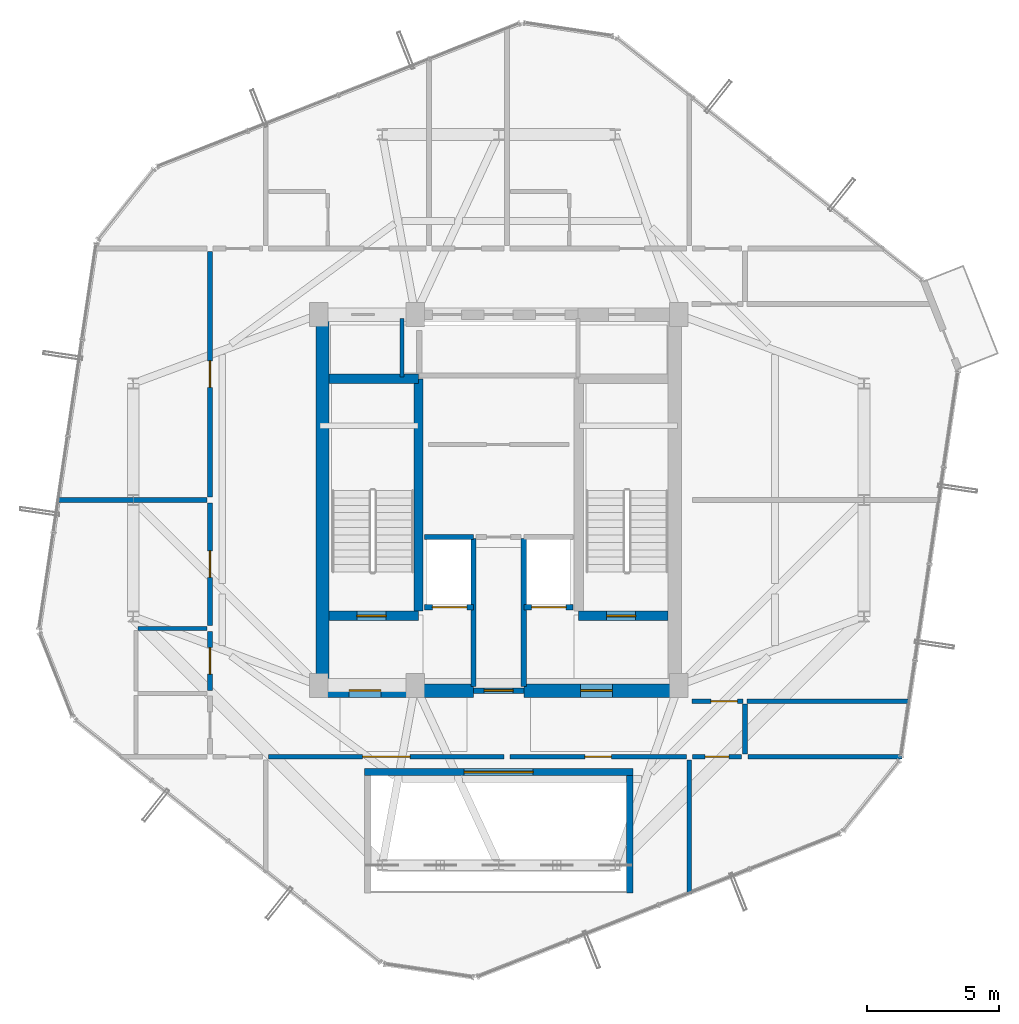
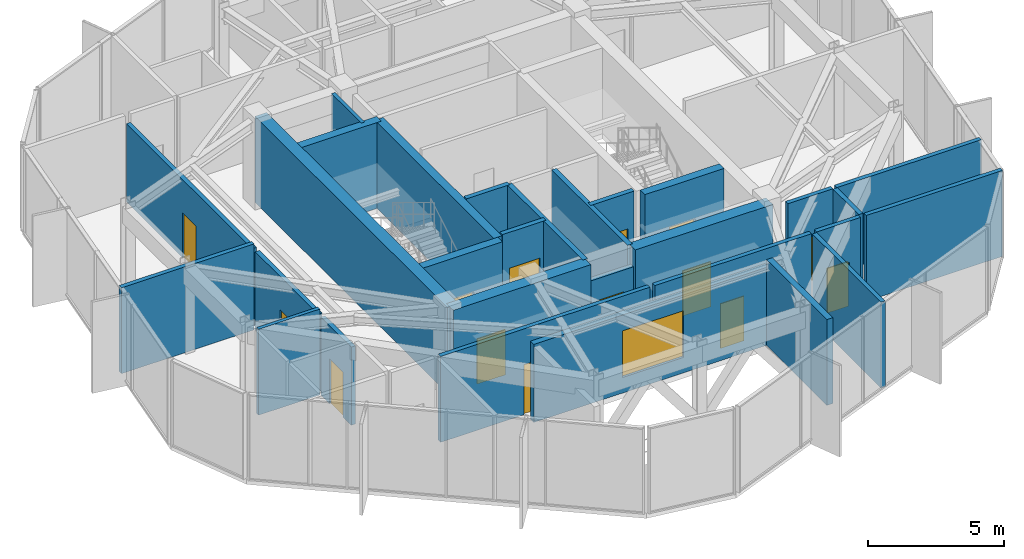
# One storey, part 18 of 22: 29 walls, 14 doors, 1 window, 15 openings.
"""IFC4 building model written with IfcOpenShell, lengths in metres."""

from ifc_helpers import new_model, si_unit, direction, frame, frame_2d, origin, place, context, subcontext, project, spatial, rectangle, extrude, source, transform, mapped, material, layer, layer_set, type_object, element, fill, save


model = new_model("IFC4")

# Units and contexts
model_context = context("Model", 3, precision=1e-05, world=origin(), true_north=direction((0.0, 1.0)))
body_context = subcontext(model_context, "Body", "Model", "MODEL_VIEW")
ifc_project = project(units=[si_unit("LENGTHUNIT", "METRE"), si_unit("AREAUNIT", "SQUARE_METRE"), si_unit("VOLUMEUNIT", "CUBIC_METRE"), si_unit("PLANEANGLEUNIT", "RADIAN"), si_unit("MASSUNIT", "GRAM", prefix="KILO")], contexts=[model_context])

# Site, building, storey
site_placement = place(None, origin())
site = spatial("IfcSite", under=ifc_project, at=site_placement, CompositionType="ELEMENT")
building_placement = place(site_placement, origin())
building = spatial("IfcBuilding", under=site, at=building_placement, Name="Veraguas Prism Commons", CompositionType="ELEMENT")
storey_placement = place(building_placement, frame((0.0, 0.0, 236.550048828125)))
storey = spatial("IfcBuildingStorey", under=building, at=storey_placement, Name="L67", CompositionType="ELEMENT", Elevation=236.550048828125)

# Wall, opening, door
ifc_material_1 = material(Name="Concrete C50/60", Category="concrete")
ifc_layer_1 = layer(ifc_material_1, 0.35009765625, Name="Core Internal Shear Wall Upper RC 350", Category="concrete")
ifc_layer_set_1 = layer_set([ifc_layer_1], Name="Concrete C50/60")
wall_type_1 = type_object("IfcWallType", Name="Core Internal Shear Wall Upper RC 350", PredefinedType="SHEAR", material=ifc_layer_set_1)
wall_1_placement = place(storey_placement, frame((17.60009765625, 19.625, 0.0), z_axis=(0.0, 0.0, 1.0), x_axis=(1.0, 0.0, 0.0)))
wall_1 = element("IfcWall", 1, at=wall_1_placement, inside=storey, type_object=wall_type_1, Name="Stair ST-01 South Shear Wall L67", PredefinedType="SHEAR", context=body_context, shape_type="SweptSolid", body=[
    extrude(rectangle(XDim=3.375, YDim=0.35009765625, at=frame_2d((1.6875, 0.0))), origin(), (0.0, 0.0, 1.0), 3.864990234375),
])
opening_1_placement = place(wall_1_placement, frame((1.050048828125, 0.0, 0.0)))
opening_1 = element("IfcOpeningElement", 2, at=opening_1_placement, cuts=wall_1, Name="Opening DR-05", PredefinedType="OPENING", context=body_context, shape_type="SweptSolid", body=[
    extrude(rectangle(XDim=1.10009765625, YDim=2.030029296875, at=frame_2d((0.550048828125, 1.01513671875))), frame((0.0, 0.18505859375, 0.0), z_axis=(0.0, -1.0, 0.0), x_axis=(1.0, 0.0, 0.0)), (0.0, 0.0, 1.0), 0.3701171875),
])
ifc_material_2 = material(Name="Steel fire-rated door assembly", Category="steel")
door_type_1 = type_object("IfcDoorType", Name="Protected Stair and Refuge Fire Door 1100x2030", OperationType="NOTDEFINED", PredefinedType="DOOR", material=ifc_material_2)
shared_shape_1 = source(origin(), body_context, "Body", "SweptSolid", [
    extrude(rectangle(XDim=1.10009765625, YDim=2.030029296875, at=frame_2d((0.550048828125, 1.01513671875))), frame((0.0, 0.02490234375, 0.0), z_axis=(0.0, -1.0, 0.0), x_axis=(1.0, 0.0, 0.0)), (0.0, 0.0, 1.0), 0.050048828125),
])
door_1_placement = place(opening_1_placement, origin())
door_1 = element("IfcDoor", 3, at=door_1_placement, inside=storey, type_object=door_type_1, Name="Stair ST-01 Enclosure Door L67", OperationType="SINGLE_SWING_LEFT", OverallHeight=2.030029296875, OverallWidth=1.10009765625, PredefinedType="DOOR", context=body_context, shape_type="MappedRepresentation", body=[
    mapped(shared_shape_1, transform((0.0, 0.0, 0.0), scale=1.0)),
])
fill(opening_1, door_1)

wall_2_placement = place(storey_placement, frame((27.02490234375, 19.625, 0.0), z_axis=(0.0, 0.0, 1.0), x_axis=(1.0, 0.0, 0.0)))
wall_2 = element("IfcWall", 4, at=wall_2_placement, inside=storey, type_object=wall_type_1, Name="Stair ST-02 South Shear Wall L67", PredefinedType="SHEAR", context=body_context, shape_type="SweptSolid", body=[
    extrude(rectangle(XDim=3.375, YDim=0.35009765625, at=frame_2d((1.6875, 0.0))), origin(), (0.0, 0.0, 1.0), 3.864990234375),
])
opening_2_placement = place(wall_2_placement, frame((1.050048828125, 0.0, 0.0)))
opening_2 = element("IfcOpeningElement", 5, at=opening_2_placement, cuts=wall_2, Name="Opening DR-05", PredefinedType="OPENING", context=body_context, shape_type="SweptSolid", body=[
    extrude(rectangle(XDim=1.10009765625, YDim=2.030029296875, at=frame_2d((0.550048828125, 1.01513671875))), frame((0.0, 0.18505859375, 0.0), z_axis=(0.0, -1.0, 0.0), x_axis=(1.0, 0.0, 0.0)), (0.0, 0.0, 1.0), 0.3701171875),
])
door_2_placement = place(opening_2_placement, origin())
door_2 = element("IfcDoor", 6, at=door_2_placement, inside=storey, type_object=door_type_1, Name="Stair ST-02 Enclosure Door L67", OperationType="SINGLE_SWING_RIGHT", OverallHeight=2.030029296875, OverallWidth=1.10009765625, PredefinedType="DOOR", context=body_context, shape_type="MappedRepresentation", body=[
    mapped(shared_shape_1, transform((0.0, 0.0, 0.0), scale=1.0)),
])
fill(opening_2, door_2)

# Walls
wall_3_placement = place(storey_placement, frame((20.97509765625, 19.800048828125, 0.0), z_axis=(0.0, 0.0, 1.0), x_axis=(0.0, 1.0, 0.0)))
element("IfcWall", 7, at=wall_3_placement, inside=storey, type_object=wall_type_1, Name="Stair ST-01 Inner Shear Wall L67", PredefinedType="SHEAR", context=body_context, shape_type="SweptSolid", body=[
    extrude(rectangle(XDim=8.77490234375, YDim=0.35009765625, at=frame_2d((4.387451171875, 0.0))), origin(), (0.0, 0.0, 1.0), 3.864990234375),
])
wall_4_placement = place(storey_placement, frame((17.60009765625, 28.574951171875, 0.0), z_axis=(0.0, 0.0, 1.0), x_axis=(1.0, 0.0, 0.0)))
element("IfcWall", 8, at=wall_4_placement, inside=storey, type_object=wall_type_1, Name="Stair ST-01 North Shear Wall L67", PredefinedType="SHEAR", context=body_context, shape_type="SweptSolid", body=[
    extrude(rectangle(XDim=3.375, YDim=0.35009765625, at=frame_2d((1.6875, 0.0))), origin(), (0.0, 0.0, 1.0), 3.864990234375),
])
ifc_layer_2 = layer(ifc_material_1, 0.5, Name="Core Outer Shear Wall Upper RC 500", Category="concrete")
ifc_layer_set_2 = layer_set([ifc_layer_2], Name="Concrete C50/60")
wall_type_2 = type_object("IfcWallType", Name="Core Outer Shear Wall Upper RC 500", PredefinedType="SHEAR", material=ifc_layer_set_2)
wall_5_placement = place(storey_placement, frame((17.35009765625, 16.800048828125, 0.0), z_axis=(0.0, 0.0, 1.0), x_axis=(0.0, 1.0, 0.0)))
element("IfcWall", 9, at=wall_5_placement, inside=storey, type_object=wall_type_2, Name="Central Core West Shear Wall L67", PredefinedType="SHEAR", context=body_context, shape_type="SweptSolid", body=[
    extrude(rectangle(XDim=14.199951171875, YDim=0.5, at=frame_2d((7.10009765625, 0.0))), origin(), (0.0, 0.0, 1.0), 3.864990234375),
])

# Wall, opening, door
wall_6_placement = place(storey_placement, frame((17.199951171875, 16.800048828125, 0.0), z_axis=(0.0, 0.0, 1.0), x_axis=(1.0, 0.0, 0.0)))
wall_6 = element("IfcWall", 10, at=wall_6_placement, inside=storey, type_object=wall_type_2, Name="Central Core South-West Shear Wall L67", PredefinedType="SHEAR", context=body_context, shape_type="SweptSolid", body=[
    extrude(rectangle(XDim=5.85009765625, YDim=0.5, at=frame_2d((2.925048828125, 0.0))), origin(), (0.0, 0.0, 1.0), 3.864990234375),
])
opening_3_placement = place(wall_6_placement, frame((1.14990234375, 0.0, 0.0)))
opening_3 = element("IfcOpeningElement", 11, at=opening_3_placement, cuts=wall_6, Name="Opening DR-06", PredefinedType="OPENING", context=body_context, shape_type="SweptSolid", body=[
    extrude(rectangle(XDim=1.199951171875, YDim=2.030029296875, at=frame_2d((0.60009765625, 1.01513671875))), frame((0.0, 0.260009765625, 0.0), z_axis=(0.0, -1.0, 0.0), x_axis=(1.0, 0.0, 0.0)), (0.0, 0.0, 1.0), 0.52001953125),
])
door_type_2 = type_object("IfcDoorType", Name="Firefighting Lobby Smoke Door 1200x2030", OperationType="NOTDEFINED", PredefinedType="DOOR", material=ifc_material_2)
shared_shape_2 = source(origin(), body_context, "Body", "SweptSolid", [
    extrude(rectangle(XDim=1.199951171875, YDim=2.030029296875, at=frame_2d((0.60009765625, 1.01513671875))), frame((0.0, 0.02490234375, 0.0), z_axis=(0.0, -1.0, 0.0), x_axis=(1.0, 0.0, 0.0)), (0.0, 0.0, 1.0), 0.050048828125),
])
door_3_placement = place(opening_3_placement, origin())
door_3 = element("IfcDoor", 12, at=door_3_placement, inside=storey, type_object=door_type_2, Name="West FF Lobby Door L67", OperationType="SINGLE_SWING_RIGHT", OverallHeight=2.030029296875, OverallWidth=1.199951171875, PredefinedType="DOOR", context=body_context, shape_type="MappedRepresentation", body=[
    mapped(shared_shape_2, transform((0.0, 0.0, 0.0), scale=1.0)),
])
fill(opening_3, door_3)

wall_7_placement = place(storey_placement, frame((24.949951171875, 16.800048828125, 0.0), z_axis=(0.0, 0.0, 1.0), x_axis=(1.0, 0.0, 0.0)))
wall_7 = element("IfcWall", 13, at=wall_7_placement, inside=storey, type_object=wall_type_2, Name="Central Core South-East Shear Wall L67", PredefinedType="SHEAR", context=body_context, shape_type="SweptSolid", body=[
    extrude(rectangle(XDim=5.85009765625, YDim=0.5, at=frame_2d((2.925048828125, 0.0))), origin(), (0.0, 0.0, 1.0), 3.864990234375),
])
opening_4_placement = place(wall_7_placement, frame((2.14990234375, 0.0, 0.0)))
opening_4 = element("IfcOpeningElement", 14, at=opening_4_placement, cuts=wall_7, Name="Opening DR-06", PredefinedType="OPENING", context=body_context, shape_type="SweptSolid", body=[
    extrude(rectangle(XDim=1.199951171875, YDim=2.030029296875, at=frame_2d((0.60009765625, 1.01513671875))), frame((0.0, 0.260009765625, 0.0), z_axis=(0.0, -1.0, 0.0), x_axis=(1.0, 0.0, 0.0)), (0.0, 0.0, 1.0), 0.52001953125),
])
door_4_placement = place(opening_4_placement, origin())
door_4 = element("IfcDoor", 15, at=door_4_placement, inside=storey, type_object=door_type_2, Name="East FF Lobby Door L67", OperationType="SINGLE_SWING_RIGHT", OverallHeight=2.030029296875, OverallWidth=1.199951171875, PredefinedType="DOOR", context=body_context, shape_type="MappedRepresentation", body=[
    mapped(shared_shape_2, transform((0.0, 0.0, 0.0), scale=1.0)),
])
fill(opening_4, door_4)

# Wall
ifc_material_3 = material(Name="Autoclaved aerated masonry block 10 MPa", Category="masonry")
ifc_layer_3 = layer(ifc_material_3, 0.179931640625, Name="Corridor and Inter-Tenancy Partition 180", Category="masonry")
ifc_layer_set_3 = layer_set([ifc_layer_3], Name="Autoclaved aerated masonry block 10 MPa")
wall_type_3 = type_object("IfcWallType", Name="Corridor and Inter-Tenancy Partition 180", PredefinedType="PARTITIONING", material=ifc_layer_set_3)
wall_8_placement = place(storey_placement, frame((31.199951171875, 14.179931640625, 0.0), z_axis=(0.0, 0.0, 1.0), x_axis=(0.0, -1.0, 0.0)))
element("IfcWall", 16, at=wall_8_placement, inside=storey, type_object=wall_type_3, Name="WL-L67-PT002", PredefinedType="PARTITIONING", context=body_context, shape_type="SweptSolid", body=[
    extrude(rectangle(XDim=5.0595703125, YDim=0.179931640625, at=frame_2d((2.52978515625, 0.0))), origin(), (0.0, 0.0, 1.0), 3.864990234375),
])

# Wall, opening, door
wall_9_placement = place(storey_placement, frame((15.31005859375, 14.300048828125, 0.0), z_axis=(0.0, 0.0, 1.0), x_axis=(1.0, 0.0, 0.0)))
wall_9 = element("IfcWall", 17, at=wall_9_placement, inside=storey, type_object=wall_type_3, Name="WL-L67-PT003", PredefinedType="PARTITIONING", context=body_context, shape_type="SweptSolid", body=[
    extrude(rectangle(XDim=8.89990234375, YDim=0.179931640625, at=frame_2d((4.449951171875, 0.0))), origin(), (0.0, 0.0, 1.0), 3.864990234375),
])
opening_5_placement = place(wall_9_placement, frame((3.550048828125, 0.0, 0.0)))
opening_5 = element("IfcOpeningElement", 18, at=opening_5_placement, cuts=wall_9, Name="Opening DR-07", PredefinedType="OPENING", context=body_context, shape_type="SweptSolid", body=[
    extrude(rectangle(XDim=1.800048828125, YDim=2.25, at=frame_2d((0.89990234375, 1.125))), frame((0.0, 0.099853515625, 0.0), z_axis=(0.0, -1.0, 0.0), x_axis=(1.0, 0.0, 0.0)), (0.0, 0.0, 1.0), 0.199951171875),
])
door_type_3 = type_object("IfcDoorType", Name="Corridor Double Fire Door 1800x2250", OperationType="NOTDEFINED", PredefinedType="DOOR", material=ifc_material_2)
shared_shape_3 = source(origin(), body_context, "Body", "SweptSolid", [
    extrude(rectangle(XDim=1.800048828125, YDim=2.25, at=frame_2d((0.89990234375, 1.125))), frame((0.0, 0.02490234375, 0.0), z_axis=(0.0, -1.0, 0.0), x_axis=(1.0, 0.0, 0.0)), (0.0, 0.0, 1.0), 0.050048828125),
])
door_5_placement = place(opening_5_placement, origin())
door_5 = element("IfcDoor", 19, at=door_5_placement, inside=storey, type_object=door_type_3, Name="Sky Lobby and Observation Concourse L67 Door 1", OperationType="SINGLE_SWING_LEFT", OverallHeight=2.25, OverallWidth=1.800048828125, PredefinedType="DOOR", context=body_context, shape_type="MappedRepresentation", body=[
    mapped(shared_shape_3, transform((0.0, 0.0, 0.0), scale=1.0)),
])
fill(opening_5, door_5)

wall_10_placement = place(storey_placement, frame((24.429931640625, 14.300048828125, 0.0), z_axis=(0.0, 0.0, 1.0), x_axis=(1.0, 0.0, 0.0)))
wall_10 = element("IfcWall", 20, at=wall_10_placement, inside=storey, type_object=wall_type_3, Name="WL-L67-PT004", PredefinedType="PARTITIONING", context=body_context, shape_type="SweptSolid", body=[
    extrude(rectangle(XDim=6.66015625, YDim=0.179931640625, at=frame_2d((3.330078125, 0.0))), origin(), (0.0, 0.0, 1.0), 3.864990234375),
])
opening_6_placement = place(wall_10_placement, frame((2.830078125, 0.0, 0.0)))
opening_6 = element("IfcOpeningElement", 21, at=opening_6_placement, cuts=wall_10, Name="Opening DR-13", PredefinedType="OPENING", context=body_context, shape_type="SweptSolid", body=[
    extrude(rectangle(XDim=1.0, YDim=2.010009765625, at=frame_2d((0.5, 1.0048828125))), frame((0.0, 0.099853515625, 0.0), z_axis=(0.0, -1.0, 0.0), x_axis=(1.0, 0.0, 0.0)), (0.0, 0.0, 1.0), 0.199951171875),
])
door_type_4 = type_object("IfcDoorType", Name="Core Accessible WC and Clinic Fire Door 1000x2010", OperationType="NOTDEFINED", PredefinedType="DOOR", material=ifc_material_2)
shared_shape_4 = source(origin(), body_context, "Body", "SweptSolid", [
    extrude(rectangle(XDim=1.0, YDim=2.010009765625, at=frame_2d((0.5, 1.0048828125))), frame((0.0, 0.02490234375, 0.0), z_axis=(0.0, -1.0, 0.0), x_axis=(1.0, 0.0, 0.0)), (0.0, 0.0, 1.0), 0.050048828125),
])
door_6_placement = place(opening_6_placement, origin())
door_6 = element("IfcDoor", 22, at=door_6_placement, inside=storey, type_object=door_type_4, Name="Sky Lobby and Observation Concourse L67 Door 2", OperationType="SINGLE_SWING_RIGHT", OverallHeight=2.010009765625, OverallWidth=1.0, PredefinedType="DOOR", context=body_context, shape_type="MappedRepresentation", body=[
    mapped(shared_shape_4, transform((0.0, 0.0, 0.0), scale=1.0)),
])
fill(opening_6, door_6)

wall_11_placement = place(storey_placement, frame((13.10009765625, 16.81005859375, 0.0), z_axis=(0.0, 0.0, 1.0), x_axis=(0.0, 1.0, 0.0)))
wall_11 = element("IfcWall", 23, at=wall_11_placement, inside=storey, type_object=wall_type_3, Name="WL-L67-PT019", PredefinedType="PARTITIONING", context=body_context, shape_type="SweptSolid", body=[
    extrude(rectangle(XDim=2.22998046875, YDim=0.179931640625, at=frame_2d((1.114990234375, 0.0))), origin(), (0.0, 0.0, 1.0), 3.511962890625),
])
opening_7_placement = place(wall_11_placement, frame((0.614990234375, 0.0, 0.0)))
opening_7 = element("IfcOpeningElement", 24, at=opening_7_placement, cuts=wall_11, Name="Opening DR-13", PredefinedType="OPENING", context=body_context, shape_type="SweptSolid", body=[
    extrude(rectangle(XDim=1.0, YDim=2.010009765625, at=frame_2d((0.5, 1.0048828125))), frame((0.0, 0.099853515625, 0.0), z_axis=(0.0, -1.0, 0.0), x_axis=(1.0, 0.0, 0.0)), (0.0, 0.0, 1.0), 0.199951171875),
])
door_7_placement = place(opening_7_placement, origin())
door_7 = element("IfcDoor", 25, at=door_7_placement, inside=storey, type_object=door_type_4, Name="Accessible WC L67 Door", OperationType="SINGLE_SWING_LEFT", OverallHeight=2.010009765625, OverallWidth=1.0, PredefinedType="DOOR", context=body_context, shape_type="MappedRepresentation", body=[
    mapped(shared_shape_4, transform((0.0, 0.0, 0.0), scale=1.0)),
])
fill(opening_7, door_7)

wall_12_placement = place(storey_placement, frame((13.10009765625, 19.260009765625, 0.0), z_axis=(0.0, 0.0, 1.0), x_axis=(0.0, 1.0, 0.0)))
wall_12 = element("IfcWall", 26, at=wall_12_placement, inside=storey, type_object=wall_type_3, Name="WL-L67-PT020", PredefinedType="PARTITIONING", context=body_context, shape_type="SweptSolid", body=[
    extrude(rectangle(XDim=4.6298828125, YDim=0.179931640625, at=frame_2d((2.31494140625, 0.0))), origin(), (0.0, 0.0, 1.0), 3.511962890625),
])
opening_8_placement = place(wall_12_placement, frame((1.81494140625, 0.0, 0.0)))
opening_8 = element("IfcOpeningElement", 27, at=opening_8_placement, cuts=wall_12, Name="Opening DR-13", PredefinedType="OPENING", context=body_context, shape_type="SweptSolid", body=[
    extrude(rectangle(XDim=1.0, YDim=2.010009765625, at=frame_2d((0.5, 1.0048828125))), frame((0.0, 0.099853515625, 0.0), z_axis=(0.0, -1.0, 0.0), x_axis=(1.0, 0.0, 0.0)), (0.0, 0.0, 1.0), 0.199951171875),
])
door_8_placement = place(opening_8_placement, origin())
door_8 = element("IfcDoor", 28, at=door_8_placement, inside=storey, type_object=door_type_4, Name="Quiet Study L67 Door", OperationType="SINGLE_SWING_RIGHT", OverallHeight=2.010009765625, OverallWidth=1.0, PredefinedType="DOOR", context=body_context, shape_type="MappedRepresentation", body=[
    mapped(shared_shape_4, transform((0.0, 0.0, 0.0), scale=1.0)),
])
fill(opening_8, door_8)

wall_13_placement = place(storey_placement, frame((13.10009765625, 24.110107421875, 0.0), z_axis=(0.0, 0.0, 1.0), x_axis=(0.0, 1.0, 0.0)))
wall_13 = element("IfcWall", 29, at=wall_13_placement, inside=storey, type_object=wall_type_3, Name="WL-L67-PT021", PredefinedType="PARTITIONING", context=body_context, shape_type="SweptSolid", body=[
    extrude(rectangle(XDim=9.27978515625, YDim=0.179931640625, at=frame_2d((4.639892578125, 0.0))), origin(), (0.0, 0.0, 1.0), 3.511962890625),
])
opening_9_placement = place(wall_13_placement, frame((4.139892578125, 0.0, 0.0)))
opening_9 = element("IfcOpeningElement", 30, at=opening_9_placement, cuts=wall_13, Name="Opening DR-13", PredefinedType="OPENING", context=body_context, shape_type="SweptSolid", body=[
    extrude(rectangle(XDim=1.0, YDim=2.010009765625, at=frame_2d((0.5, 1.0048828125))), frame((0.0, 0.099853515625, 0.0), z_axis=(0.0, -1.0, 0.0), x_axis=(1.0, 0.0, 0.0)), (0.0, 0.0, 1.0), 0.199951171875),
])
door_9_placement = place(opening_9_placement, origin())
door_9 = element("IfcDoor", 31, at=door_9_placement, inside=storey, type_object=door_type_4, Name="Reading Lounge L67 Door", OperationType="SINGLE_SWING_LEFT", OverallHeight=2.010009765625, OverallWidth=1.0, PredefinedType="DOOR", context=body_context, shape_type="MappedRepresentation", body=[
    mapped(shared_shape_4, transform((0.0, 0.0, 0.0), scale=1.0)),
])
fill(opening_9, door_9)

# Walls
wall_14_placement = place(storey_placement, frame((12.97998046875, 24.0, 0.0), z_axis=(0.0, 0.0, 1.0), x_axis=(-1.0, 0.0, 0.0)))
element("IfcWall", 32, at=wall_14_placement, inside=storey, type_object=wall_type_3, Name="WL-L67-PT026", PredefinedType="PARTITIONING", context=body_context, shape_type="SweptSolid", body=[
    extrude(rectangle(XDim=5.644775390625, YDim=0.179931640625, at=frame_2d((2.822265625, 0.0))), origin(), (0.0, 0.0, 1.0), 3.864990234375),
])
wall_15_placement = place(storey_placement, frame((33.300048828125, 14.39990234375, 0.0), z_axis=(0.0, 0.0, 1.0), x_axis=(0.0, 1.0, 0.0)))
element("IfcWall", 33, at=wall_15_placement, inside=storey, type_object=wall_type_3, Name="WL-L67-PT028", PredefinedType="PARTITIONING", context=body_context, shape_type="SweptSolid", body=[
    extrude(rectangle(XDim=1.900146484375, YDim=0.179931640625, at=frame_2d((0.9501953125, 0.0))), origin(), (0.0, 0.0, 1.0), 3.864990234375),
])

# Wall, opening, door
wall_16_placement = place(storey_placement, frame((31.300048828125, 16.39990234375, 0.0), z_axis=(0.0, 0.0, 1.0), x_axis=(1.0, 0.0, 0.0)))
wall_16 = element("IfcWall", 34, at=wall_16_placement, inside=storey, type_object=wall_type_3, Name="WL-L67-PT030", PredefinedType="PARTITIONING", context=body_context, shape_type="SweptSolid", body=[
    extrude(rectangle(XDim=1.919921875, YDim=0.179931640625, at=frame_2d((0.9599609375, 0.0))), origin(), (0.0, 0.0, 1.0), 3.864990234375),
])
opening_10_placement = place(wall_16_placement, frame((0.719970703125, 0.0, 0.0)))
opening_10 = element("IfcOpeningElement", 35, at=opening_10_placement, cuts=wall_16, Name="Opening DR-13", PredefinedType="OPENING", context=body_context, shape_type="SweptSolid", body=[
    extrude(rectangle(XDim=1.0, YDim=2.010009765625, at=frame_2d((0.5, 1.0048828125))), frame((0.0, 0.099853515625, 0.0), z_axis=(0.0, -1.0, 0.0), x_axis=(1.0, 0.0, 0.0)), (0.0, 0.0, 1.0), 0.199951171875),
])
door_10_placement = place(opening_10_placement, origin())
door_10 = element("IfcDoor", 36, at=door_10_placement, inside=storey, type_object=door_type_4, Name="Panorama Lounge Door L67", OperationType="SINGLE_SWING_RIGHT", OverallHeight=2.010009765625, OverallWidth=1.0, PredefinedType="DOOR", context=body_context, shape_type="MappedRepresentation", body=[
    mapped(shared_shape_4, transform((0.0, 0.0, 0.0), scale=1.0)),
])
fill(opening_10, door_10)

# Walls
wall_17_placement = place(storey_placement, frame((33.3798828125, 16.39990234375, 0.0), z_axis=(0.0, 0.0, 1.0), x_axis=(1.0, 0.0, 0.0)))
element("IfcWall", 37, at=wall_17_placement, inside=storey, type_object=wall_type_3, Name="WL-L67-PT031", PredefinedType="PARTITIONING", context=body_context, shape_type="SweptSolid", body=[
    extrude(rectangle(XDim=6.157470703125, YDim=0.179931640625, at=frame_2d((3.07861328125, 0.0))), origin(), (0.0, 0.0, 1.0), 3.864990234375),
])
wall_18_placement = place(storey_placement, frame((33.419921875, 14.300048828125, 0.0), z_axis=(0.0, 0.0, 1.0), x_axis=(1.0, 0.0, 0.0)))
element("IfcWall", 38, at=wall_18_placement, inside=storey, type_object=wall_type_3, Name="WL-L67-PT035", PredefinedType="PARTITIONING", context=body_context, shape_type="SweptSolid", body=[
    extrude(rectangle(XDim=5.8056640625, YDim=0.179931640625, at=frame_2d((2.90283203125, 0.0))), origin(), (0.0, 0.0, 1.0), 3.864990234375),
])

# Wall, opening, door
wall_19_placement = place(storey_placement, frame((31.320068359375, 14.300048828125, 0.0), z_axis=(0.0, 0.0, 1.0), x_axis=(1.0, 0.0, 0.0)))
wall_19 = element("IfcWall", 39, at=wall_19_placement, inside=storey, type_object=wall_type_3, Name="WL-L67-PT036", PredefinedType="PARTITIONING", context=body_context, shape_type="SweptSolid", body=[
    extrude(rectangle(XDim=1.85986328125, YDim=0.179931640625, at=frame_2d((0.929931640625, 0.0))), origin(), (0.0, 0.0, 1.0), 3.864990234375),
])
opening_11_placement = place(wall_19_placement, frame((0.47998046875, 0.0, 0.0)))
opening_11 = element("IfcOpeningElement", 40, at=opening_11_placement, cuts=wall_19, Name="Opening DR-14", PredefinedType="OPENING", context=body_context, shape_type="SweptSolid", body=[
    extrude(rectangle(XDim=0.89990234375, YDim=2.010009765625, at=frame_2d((0.449951171875, 1.0048828125))), frame((0.0, 0.099853515625, 0.0), z_axis=(0.0, -1.0, 0.0), x_axis=(1.0, 0.0, 0.0)), (0.0, 0.0, 1.0), 0.199951171875),
])
door_type_5 = type_object("IfcDoorType", Name="Core Service Room Fire Door 900x2010", OperationType="NOTDEFINED", PredefinedType="DOOR", material=ifc_material_2)
shared_shape_5 = source(origin(), body_context, "Body", "SweptSolid", [
    extrude(rectangle(XDim=0.89990234375, YDim=2.010009765625, at=frame_2d((0.449951171875, 1.0048828125))), frame((0.0, 0.02490234375, 0.0), z_axis=(0.0, -1.0, 0.0), x_axis=(1.0, 0.0, 0.0)), (0.0, 0.0, 1.0), 0.050048828125),
])
door_11_placement = place(opening_11_placement, origin())
door_11 = element("IfcDoor", 41, at=door_11_placement, inside=storey, type_object=door_type_5, Name="Corner Study SE Door", OperationType="SINGLE_SWING_LEFT", OverallHeight=2.010009765625, OverallWidth=0.89990234375, PredefinedType="DOOR", context=body_context, shape_type="MappedRepresentation", body=[
    mapped(shared_shape_5, transform((0.0, 0.0, 0.0), scale=1.0)),
])
fill(opening_11, door_11)

# Wall, opening, window
ifc_material_4 = material(Name="Precast concrete C40/50", Category="concrete")
ifc_layer_4 = layer(ifc_material_4, 0.25, Name="External Loggia and Portal Wall 250", Category="concrete")
ifc_layer_set_4 = layer_set([ifc_layer_4], Name="Precast concrete C40/50")
wall_type_4 = type_object("IfcWallType", Name="External Loggia and Portal Wall 250", PredefinedType="SOLIDWALL", material=ifc_layer_set_4)
wall_20_placement = place(storey_placement, frame((18.925048828125, 13.72509765625, 0.0), z_axis=(0.0, 0.0, 1.0), x_axis=(1.0, 0.0, 0.0)))
wall_20 = element("IfcWall", 42, at=wall_20_placement, inside=storey, type_object=wall_type_4, Name="Wind Portal Enclosure Wall L67-N", PredefinedType="SOLIDWALL", context=body_context, shape_type="SweptSolid", body=[
    extrude(rectangle(XDim=10.14990234375, YDim=0.25, at=frame_2d((5.074951171875, 0.0))), origin(), (0.0, 0.0, 1.0), 3.511962890625),
])
opening_12_placement = place(wall_20_placement, frame((3.77490234375, 0.0, 0.699951171875)))
opening_12 = element("IfcOpeningElement", 43, at=opening_12_placement, cuts=wall_20, Name="Opening WN-09", PredefinedType="OPENING", context=body_context, shape_type="SweptSolid", body=[
    extrude(rectangle(XDim=2.60009765625, YDim=2.10009765625, at=frame_2d((1.300048828125, 1.050048828125))), frame((0.0, 0.135009765625, 0.0), z_axis=(0.0, -1.0, 0.0), x_axis=(1.0, 0.0, 0.0)), (0.0, 0.0, 1.0), 0.27001953125),
])
ifc_material_5 = material(Name="Laminated low-e glass", Category="glass")
window_type = type_object("IfcWindowType", Name="Sky Pool Lounge Panorama Window 2600x2100", PartitioningType="SINGLE_PANEL", PredefinedType="WINDOW", material=ifc_material_5)
shared_shape_6 = source(origin(), body_context, "Body", "SweptSolid", [
    extrude(rectangle(XDim=2.60009765625, YDim=2.10009765625, at=frame_2d((1.300048828125, 1.050048828125))), frame((0.0, 0.030029296875, 0.0), z_axis=(0.0, -1.0, 0.0), x_axis=(1.0, 0.0, 0.0)), (0.0, 0.0, 1.0), 0.06005859375),
])
window_placement = place(opening_12_placement, origin())
window = element("IfcWindow", 44, at=window_placement, inside=storey, type_object=window_type, Name="Wind Portal Observation Window L67", OverallHeight=2.10009765625, OverallWidth=2.60009765625, PartitioningType="SINGLE_PANEL", PredefinedType="WINDOW", context=body_context, shape_type="MappedRepresentation", body=[
    mapped(shared_shape_6, transform((0.0, 0.0, 0.0), scale=1.0)),
])
fill(opening_12, window)

# Wall
wall_21_placement = place(storey_placement, frame((28.949951171875, 13.60009765625, 0.0), z_axis=(0.0, 0.0, 1.0), x_axis=(0.0, -1.0, 0.0)))
element("IfcWall", 45, at=wall_21_placement, inside=storey, type_object=wall_type_4, Name="Wind Portal Enclosure Wall L67-E", PredefinedType="SOLIDWALL", context=body_context, shape_type="SweptSolid", body=[
    extrude(rectangle(XDim=4.4501953125, YDim=0.25, at=frame_2d((2.22509765625, 0.0))), origin(), (0.0, 0.0, 1.0), 3.864990234375),
])

# Wall, opening, door
ifc_layer_5 = layer(ifc_material_3, 0.199951171875, Name="Rated Shaft and Lobby Block Wall 200", Category="masonry")
ifc_layer_set_5 = layer_set([ifc_layer_5], Name="Autoclaved aerated masonry block 10 MPa")
wall_type_5 = type_object("IfcWallType", Name="Rated Shaft and Lobby Block Wall 200", PredefinedType="SOLIDWALL", material=ifc_layer_set_5)
wall_22_placement = place(storey_placement, frame((23.050048828125, 16.800048828125, 0.0), z_axis=(0.0, 0.0, 1.0), x_axis=(1.0, 0.0, 0.0)))
wall_22 = element("IfcWall", 46, at=wall_22_placement, inside=storey, type_object=wall_type_5, Name="Central Core Lobby Entrance Wall L67", PredefinedType="SOLIDWALL", context=body_context, shape_type="SweptSolid", body=[
    extrude(rectangle(XDim=1.89990234375, YDim=0.199951171875, at=frame_2d((0.949951171875, 0.0))), origin(), (0.0, 0.0, 1.0), 3.014892578125),
])
opening_13_placement = place(wall_22_placement, frame((0.39990234375, 0.0, 0.0)))
opening_13 = element("IfcOpeningElement", 47, at=opening_13_placement, cuts=wall_22, Name="Opening DR-05", PredefinedType="OPENING", context=body_context, shape_type="SweptSolid", body=[
    extrude(rectangle(XDim=1.10009765625, YDim=2.030029296875, at=frame_2d((0.550048828125, 1.01513671875))), frame((0.0, 0.10986328125, 0.0), z_axis=(0.0, -1.0, 0.0), x_axis=(1.0, 0.0, 0.0)), (0.0, 0.0, 1.0), 0.219970703125),
])
door_12_placement = place(opening_13_placement, origin())
door_12 = element("IfcDoor", 48, at=door_12_placement, inside=storey, type_object=door_type_1, Name="Central Lobby Door L67", OperationType="SINGLE_SWING_LEFT", OverallHeight=2.030029296875, OverallWidth=1.10009765625, PredefinedType="DOOR", context=body_context, shape_type="MappedRepresentation", body=[
    mapped(shared_shape_1, transform((0.0, 0.0, 0.0), scale=1.0)),
])
fill(opening_13, door_12)

wall_23_placement = place(storey_placement, frame((21.199951171875, 19.949951171875, 0.0), z_axis=(0.0, 0.0, 1.0), x_axis=(1.0, 0.0, 0.0)))
wall_23 = element("IfcWall", 49, at=wall_23_placement, inside=storey, type_object=wall_type_5, Name="Firefighting Lift FFL-1 Front Wall L67", PredefinedType="SOLIDWALL", context=body_context, shape_type="SweptSolid", body=[
    extrude(rectangle(XDim=1.85009765625, YDim=0.199951171875, at=frame_2d((0.925048828125, 0.0))), origin(), (0.0, 0.0, 1.0), 3.864990234375),
])
opening_14_placement = place(wall_23_placement, frame((0.300048828125, 0.0, 0.0)))
opening_14 = element("IfcOpeningElement", 50, at=opening_14_placement, cuts=wall_23, Name="Opening LD-02", PredefinedType="OPENING", context=body_context, shape_type="SweptSolid", body=[
    extrude(rectangle(XDim=1.300048828125, YDim=2.25, at=frame_2d((0.64990234375, 1.125))), frame((0.0, 0.10986328125, 0.0), z_axis=(0.0, -1.0, 0.0), x_axis=(1.0, 0.0, 0.0)), (0.0, 0.0, 1.0), 0.219970703125),
])
ifc_material_6 = material(Name="Stainless steel AISI 316", Category="steel")
door_type_6 = type_object("IfcDoorType", Name="Firefighting Lift Sliding Landing Door 1300x2250", OperationType="NOTDEFINED", PredefinedType="DOOR", material=ifc_material_6)
shared_shape_7 = source(origin(), body_context, "Body", "SweptSolid", [
    extrude(rectangle(XDim=1.300048828125, YDim=2.25, at=frame_2d((0.64990234375, 1.125))), frame((0.0, 0.02490234375, 0.0), z_axis=(0.0, -1.0, 0.0), x_axis=(1.0, 0.0, 0.0)), (0.0, 0.0, 1.0), 0.050048828125),
])
door_13_placement = place(opening_14_placement, origin())
door_13 = element("IfcDoor", 51, at=door_13_placement, inside=storey, type_object=door_type_6, Name="Firefighting Lift FFL-1 Landing Door L67", OperationType="SLIDING_TO_LEFT", OverallHeight=2.25, OverallWidth=1.300048828125, PredefinedType="DOOR", context=body_context, shape_type="MappedRepresentation", body=[
    mapped(shared_shape_7, transform((0.0, 0.0, 0.0), scale=1.0)),
])
fill(opening_14, door_13)

wall_24_placement = place(storey_placement, frame((24.949951171875, 19.949951171875, 0.0), z_axis=(0.0, 0.0, 1.0), x_axis=(1.0, 0.0, 0.0)))
wall_24 = element("IfcWall", 52, at=wall_24_placement, inside=storey, type_object=wall_type_5, Name="Firefighting Lift FFL-2 Front Wall L67", PredefinedType="SOLIDWALL", context=body_context, shape_type="SweptSolid", body=[
    extrude(rectangle(XDim=1.85009765625, YDim=0.199951171875, at=frame_2d((0.925048828125, 0.0))), origin(), (0.0, 0.0, 1.0), 3.864990234375),
])
opening_15_placement = place(wall_24_placement, frame((0.300048828125, 0.0, 0.0)))
opening_15 = element("IfcOpeningElement", 53, at=opening_15_placement, cuts=wall_24, Name="Opening LD-02", PredefinedType="OPENING", context=body_context, shape_type="SweptSolid", body=[
    extrude(rectangle(XDim=1.300048828125, YDim=2.25, at=frame_2d((0.64990234375, 1.125))), frame((0.0, 0.10986328125, 0.0), z_axis=(0.0, -1.0, 0.0), x_axis=(1.0, 0.0, 0.0)), (0.0, 0.0, 1.0), 0.219970703125),
])
door_14_placement = place(opening_15_placement, origin())
door_14 = element("IfcDoor", 54, at=door_14_placement, inside=storey, type_object=door_type_6, Name="Firefighting Lift FFL-2 Front Wall L67", OperationType="SLIDING_TO_LEFT", OverallHeight=2.25, OverallWidth=1.300048828125, PredefinedType="DOOR", context=body_context, shape_type="MappedRepresentation", body=[
    mapped(shared_shape_7, transform((0.0, 0.0, 0.0), scale=1.0)),
])
fill(opening_15, door_14)

# Walls
for number, where, z_axis, x_axis, name in (
    (55, (23.050048828125, 16.949951171875, 0.0), (0.0, 0.0, 1.0), (0.0, 1.0, 0.0), "West FF Lobby Divider Wall L67"),
    (56, (24.949951171875, 16.949951171875, 0.0), (0.0, 0.0, 1.0), (0.0, 1.0, 0.0), "East FF Lobby Divider Wall L67"),
):
    element("IfcWall", number, at=place(storey_placement, frame(where, z_axis=z_axis, x_axis=x_axis)), inside=storey, type_object=wall_type_5, Name=name, PredefinedType="SOLIDWALL", context=body_context, shape_type="SweptSolid", body=[
        extrude(rectangle(XDim=5.60009765625, YDim=0.199951171875, at=frame_2d((2.800048828125, 0.0))), origin(), (0.0, 0.0, 1.0), 3.864990234375),
    ])
wall_25_placement = place(storey_placement, frame((21.199951171875, 22.60009765625, 0.0), z_axis=(0.0, 0.0, 1.0), x_axis=(1.0, 0.0, 0.0)))
element("IfcWall", 57, at=wall_25_placement, inside=storey, type_object=wall_type_5, Name="Firefighting Lift FFL-1 Rear Wall L67", PredefinedType="SOLIDWALL", context=body_context, shape_type="SweptSolid", body=[
    extrude(rectangle(XDim=1.85009765625, YDim=0.199951171875, at=frame_2d((0.925048828125, 0.0))), origin(), (0.0, 0.0, 1.0), 3.864990234375),
])
ifc_material_7 = material(Name="Lightweight acoustic gypsum board")
ifc_layer_6 = layer(ifc_material_7, 0.14990234375, Name="Wet Room and Clinic Acoustic Partition 150")
ifc_layer_set_6 = layer_set([ifc_layer_6], Name="Lightweight acoustic gypsum board")
wall_type_6 = type_object("IfcWallType", Name="Wet Room and Clinic Acoustic Partition 150", PredefinedType="PARTITIONING", material=ifc_layer_set_6)
wall_26_placement = place(storey_placement, frame((20.35009765625, 28.64990234375, 0.0), z_axis=(0.0, 0.0, 1.0), x_axis=(0.0, 1.0, 0.0)))
element("IfcWall", 58, at=wall_26_placement, inside=storey, type_object=wall_type_6, Name="Core NW Service Inner Wall L67", PredefinedType="PARTITIONING", context=body_context, shape_type="SweptSolid", body=[
    extrude(rectangle(XDim=2.2001953125, YDim=0.14990234375, at=frame_2d((1.10009765625, 0.0))), origin(), (0.0, 0.0, 1.0), 3.864990234375),
])
wall_27_placement = place(storey_placement, frame((12.97998046875, 19.14990234375, 0.0), z_axis=(0.0, 0.0, 1.0), x_axis=(-1.0, 0.0, 0.0)))
element("IfcWall", 59, at=wall_27_placement, inside=storey, type_object=wall_type_6, Name="WL-L67-PT023", PredefinedType="PARTITIONING", context=body_context, shape_type="SweptSolid", body=[
    extrude(rectangle(XDim=2.60009765625, YDim=0.14990234375, at=frame_2d((1.300048828125, 0.0))), origin(), (0.0, 0.0, 1.0), 3.864990234375),
])

save(model, "model.ifc")
